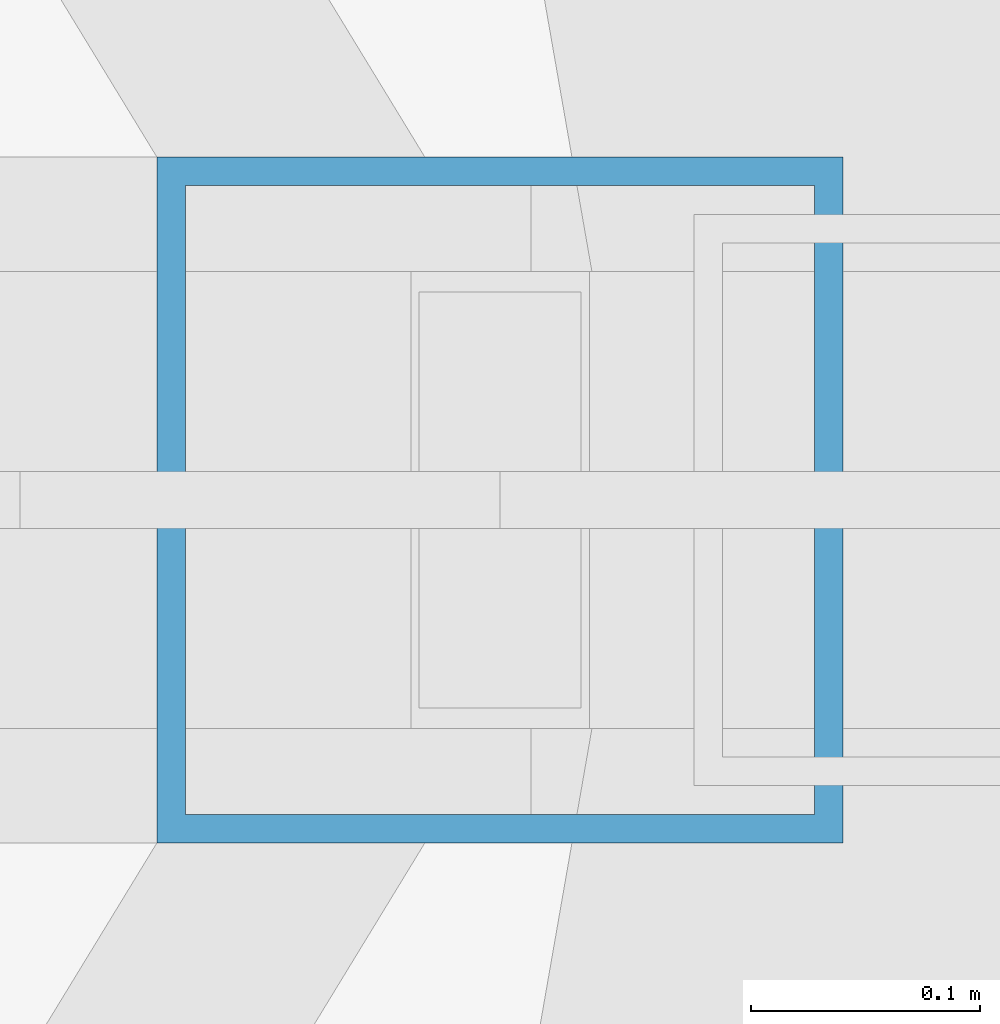
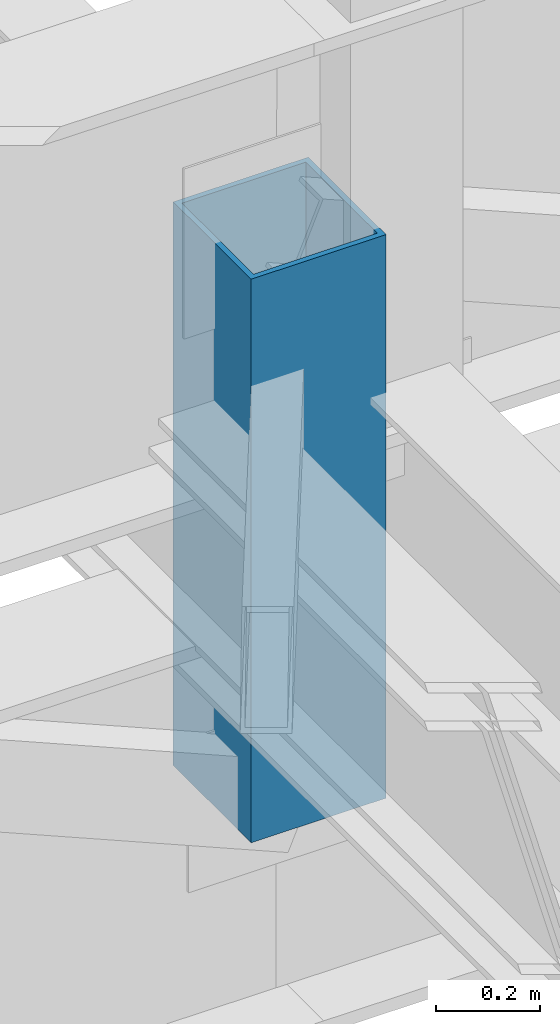
# One storey, part 81 of 184: 1 member.
"""IFC4 building model written with IfcOpenShell, lengths in metres."""

from ifc_helpers import new_model, si_unit, direction, frame, origin, origin_2d, place, context, subcontext, project, spatial, hollow_rectangle, extrude, material, material_profile, profile_set, type_object, element, save


model = new_model("IFC4")

# Units and contexts
model_context = context("Model", 3, precision=1e-05, world=origin(), true_north=direction((0.0, 1.0)))
body_context = subcontext(model_context, "Body", "Model", "MODEL_VIEW")
ifc_project = project(units=[si_unit("LENGTHUNIT", "METRE"), si_unit("AREAUNIT", "SQUARE_METRE"), si_unit("VOLUMEUNIT", "CUBIC_METRE"), si_unit("PLANEANGLEUNIT", "RADIAN"), si_unit("MASSUNIT", "GRAM", prefix="KILO")], contexts=[model_context])

# Site, building, storey
site_placement = place(None, origin())
site = spatial("IfcSite", under=ifc_project, at=site_placement, CompositionType="ELEMENT")
building_placement = place(site_placement, origin())
building = spatial("IfcBuilding", under=site, at=building_placement, Name="Kalgoora Escarpment Arena", CompositionType="ELEMENT")
storey_placement = place(building_placement, frame((0.0, 0.0, 27.60009765625)))
storey = spatial("IfcBuildingStorey", under=building, at=storey_placement, Name="Roof Level", CompositionType="ELEMENT", Elevation=27.60009765625)

# Member
ifc_material = material(Name="Structural steel C450 (450 MPa)", Category="steel")
ifc_material_profile = material_profile(ifc_material, hollow_rectangle(XDim=0.300048828125, YDim=0.300048828125, WallThickness=0.012451171875, at=origin_2d()))
ifc_profile_set = profile_set([ifc_material_profile], Name="Structural steel C450 (450 MPa)")
member_type = type_object("IfcMemberType", Name="MEM-TRUSS-POST", PredefinedType="POST", material=ifc_profile_set)
member_placement = place(storey_placement, frame((121.300048828125, 64.0, -1.625), z_axis=(0.0, 0.0, 1.0), x_axis=(-1.0, 0.0, 0.0)))
element("IfcMember", 1, at=member_placement, inside=storey, type_object=member_type, Name="Radial ROOF TRUSS spine 1 post 6", PredefinedType="POST", context=body_context, shape_type="SweptSolid", body=[
    extrude(hollow_rectangle(XDim=0.300048828125, YDim=0.300048828125, WallThickness=0.012451171875, at=origin_2d()), origin(), (0.0, 0.0, 1.0), 1.324951171875),
])

save(model, "model.ifc")
